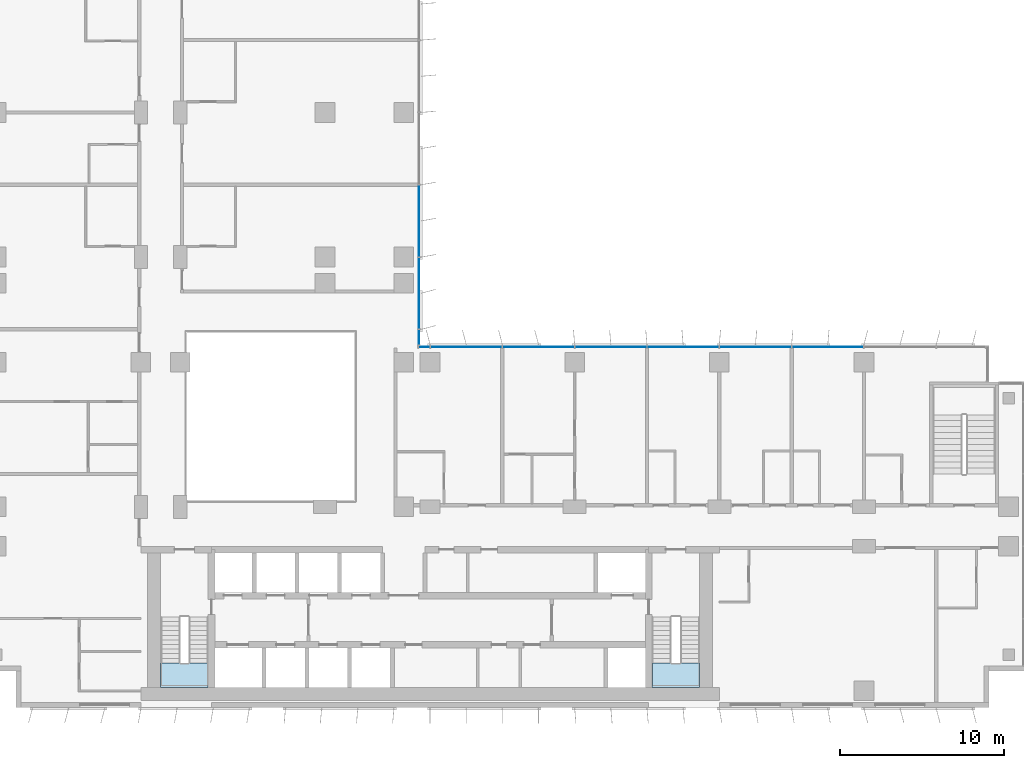
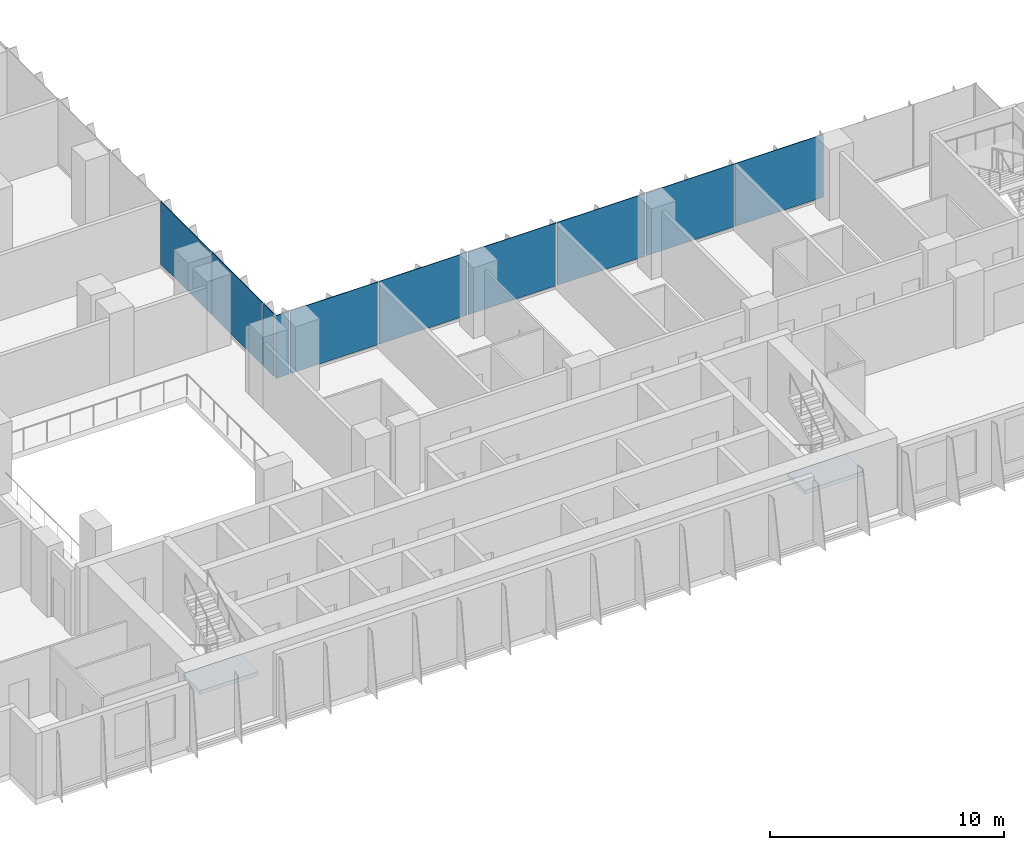
# One storey, part 10 of 22: 10 plates, 2 slabs, 4 elements without a shape of their own.
"""IFC4 building model written with IfcOpenShell, lengths in metres."""

from ifc_helpers import new_model, si_unit, direction, frame, origin, origin_2d, place, context, subcontext, project, spatial, polyline, rectangle, outline, extrude, source, transform, mapped, material, layer, layer_set, type_object, element, aggregate, save


model = new_model("IFC4")

# Units and contexts
model_context = context("Model", 3, precision=1e-05, world=origin(), true_north=direction((0.0, 1.0)))
body_context = subcontext(model_context, "Body", "Model", "MODEL_VIEW")
ifc_project = project(units=[si_unit("LENGTHUNIT", "METRE"), si_unit("AREAUNIT", "SQUARE_METRE"), si_unit("VOLUMEUNIT", "CUBIC_METRE"), si_unit("PLANEANGLEUNIT", "RADIAN"), si_unit("MASSUNIT", "GRAM", prefix="KILO")], contexts=[model_context])

# Site, building, storey
site_placement = place(None, origin())
site = spatial("IfcSite", under=ifc_project, at=site_placement, CompositionType="ELEMENT")
building_placement = place(site_placement, origin())
building = spatial("IfcBuilding", under=site, at=building_placement, Name="Kemantara Hotel Tower", CompositionType="ELEMENT")
storey_placement = place(building_placement, frame((0.0, 0.0, 145.699951171875)))
storey = spatial("IfcBuildingStorey", under=building, at=storey_placement, Name="L35", CompositionType="ELEMENT", Elevation=145.699951171875)

# Stair, slab
ifc_material_1 = material(Name="Concrete fc 40 MPa", Category="concrete")
stair_type = type_object("IfcStairType", Name="Stair 1200 wide 22 risers of 168 x 280 mm", PredefinedType="HALF_TURN_STAIR", material=ifc_material_1)
stair_1_placement = place(storey_placement, origin())
stair_1 = element("IfcStair", 1, at=stair_1_placement, inside=storey, type_object=stair_type, Name="L35 Exit stair ST1", PredefinedType="HALF_TURN_STAIR")
ifc_layer_1 = layer(ifc_material_1, 0.199951171875)
ifc_layer_set_1 = layer_set([ifc_layer_1], Name="Concrete fc 40 MPa")
slab_type = type_object("IfcSlabType", Name="Stair landing 200 mm", PredefinedType="LANDING", material=ifc_layer_set_1)
slab_1_placement = place(storey_placement, frame((0.0, 0.0, 1.650146484375)))
slab_1 = element("IfcSlab", 2, at=slab_1_placement, type_object=slab_type, Name="ST1 landing 1", PredefinedType="LANDING", context=body_context, shape_type="SweptSolid", body=[
    extrude(outline(polyline([(11.0, 2.699951171875), (11.0, 1.199951171875), (13.89990234375, 1.199951171875), (13.89990234375, 2.699951171875), (11.0, 2.699951171875)])), origin(), (0.0, 0.0, 1.0), 0.199951171875),
])
aggregate(stair_1, [slab_1])

stair_2_placement = place(storey_placement, origin())
stair_2 = element("IfcStair", 3, at=stair_2_placement, inside=storey, type_object=stair_type, Name="L35 Exit stair ST2", PredefinedType="HALF_TURN_STAIR")
slab_2_placement = place(storey_placement, frame((0.0, 0.0, 1.650146484375)))
slab_2 = element("IfcSlab", 4, at=slab_2_placement, type_object=slab_type, Name="ST2 landing 1", PredefinedType="LANDING", context=body_context, shape_type="SweptSolid", body=[
    extrude(outline(polyline([(40.89990234375, 2.699951171875), (40.89990234375, 1.199951171875), (43.800048828125, 1.199951171875), (43.800048828125, 2.699951171875), (40.89990234375, 2.699951171875)])), origin(), (0.0, 0.0, 1.0), 0.199951171875),
])
aggregate(stair_2, [slab_2])

# Curtain wall, plates
ifc_material_2 = material(Name="Low-E tinted double insulated glass 36 mm", Category="glass")
curtain_wall_type = type_object("IfcCurtainWallType", Name="TOWER CURTAIN WALL, FRONT FACES", PredefinedType="USERDEFINED", material=ifc_material_2)
curtain_wall_1_placement = place(storey_placement, origin())
curtain_wall_1 = element("IfcCurtainWall", 5, at=curtain_wall_1_placement, inside=storey, type_object=curtain_wall_type, Name="CW4 L35 T2-R13-1", ObjectType="TOWER CURTAIN WALL, FRONT FACES", PredefinedType="USERDEFINED")
ifc_layer_2 = layer(ifc_material_2, 0.035888671875)
ifc_layer_set_2 = layer_set([ifc_layer_2], Name="Low-E tinted double insulated glass 36 mm")
plate_type = type_object("IfcPlateType", Name="TOWER CURTAIN WALL, FRONT FACES PANEL", PredefinedType="CURTAIN_PANEL", material=ifc_layer_set_2)
shared_shape_1 = source(origin(), body_context, "Body", "SweptSolid", [
    extrude(rectangle(XDim=4.340087890625, YDim=0.035888671875, at=origin_2d()), origin(), (0.0, 0.0, 1.0), 3.280029296875),
])
plate_1_placement = place(storey_placement, frame((51.60009765625, 21.925048828125, 0.1201171875), z_axis=(0.0, 0.0, 1.0), x_axis=(-1.0, 0.0, 0.0)))
plate_1 = element("IfcPlate", 6, at=plate_1_placement, type_object=plate_type, Name="CW4 glass panel T2-R13-1.3", PredefinedType="CURTAIN_PANEL", context=body_context, shape_type="MappedRepresentation", body=[
    mapped(shared_shape_1, transform((0.0, 0.0, 0.0))),
])
plate_2_placement = place(storey_placement, frame((47.199951171875, 21.925048828125, 0.1201171875), z_axis=(0.0, 0.0, 1.0), x_axis=(-1.0, 0.0, 0.0)))
plate_2 = element("IfcPlate", 7, at=plate_2_placement, type_object=plate_type, Name="CW4 glass panel T2-R13-1.4", PredefinedType="CURTAIN_PANEL", context=body_context, shape_type="MappedRepresentation", body=[
    mapped(shared_shape_1, transform((0.0, 0.0, 0.0))),
])
plate_3_placement = place(storey_placement, frame((42.800048828125, 21.925048828125, 0.1201171875), z_axis=(0.0, 0.0, 1.0), x_axis=(-1.0, 0.0, 0.0)))
plate_3 = element("IfcPlate", 8, at=plate_3_placement, type_object=plate_type, Name="CW4 glass panel T2-R13-1.5", PredefinedType="CURTAIN_PANEL", context=body_context, shape_type="MappedRepresentation", body=[
    mapped(shared_shape_1, transform((0.0, 0.0, 0.0))),
])
plate_4_placement = place(storey_placement, frame((38.39990234375, 21.925048828125, 0.1201171875), z_axis=(0.0, 0.0, 1.0), x_axis=(-1.0, 0.0, 0.0)))
plate_4 = element("IfcPlate", 9, at=plate_4_placement, type_object=plate_type, Name="CW4 glass panel T2-R13-1.6", PredefinedType="CURTAIN_PANEL", context=body_context, shape_type="MappedRepresentation", body=[
    mapped(shared_shape_1, transform((0.0, 0.0, 0.0))),
])
plate_5_placement = place(storey_placement, frame((34.0, 21.925048828125, 0.1201171875), z_axis=(0.0, 0.0, 1.0), x_axis=(-1.0, 0.0, 0.0)))
plate_5 = element("IfcPlate", 10, at=plate_5_placement, type_object=plate_type, Name="CW4 glass panel T2-R13-1.7", PredefinedType="CURTAIN_PANEL", context=body_context, shape_type="MappedRepresentation", body=[
    mapped(shared_shape_1, transform((0.0, 0.0, 0.0))),
])
plate_6_placement = place(storey_placement, frame((29.60009765625, 21.925048828125, 0.1201171875), z_axis=(0.0, 0.0, 1.0), x_axis=(-1.0, 0.0, 0.0)))
plate_6 = element("IfcPlate", 11, at=plate_6_placement, type_object=plate_type, Name="CW4 glass panel T2-R13-1.8", PredefinedType="CURTAIN_PANEL", context=body_context, shape_type="MappedRepresentation", body=[
    mapped(shared_shape_1, transform((0.0, 0.0, 0.0))),
])

curtain_wall_2_placement = place(storey_placement, origin())
curtain_wall_2 = element("IfcCurtainWall", 12, at=curtain_wall_2_placement, inside=storey, type_object=curtain_wall_type, Name="CW4 L35 T2-R14-1", ObjectType="TOWER CURTAIN WALL, FRONT FACES", PredefinedType="USERDEFINED")
plate_7_placement = place(storey_placement, frame((26.72509765625, 25.199951171875, 0.1201171875), z_axis=(0.0, 0.0, 1.0), x_axis=(0.0, 1.0, 0.0)))
plate_7 = element("IfcPlate", 13, at=plate_7_placement, type_object=plate_type, Name="CW4 glass panel T2-R14-1.2", PredefinedType="CURTAIN_PANEL", context=body_context, shape_type="MappedRepresentation", body=[
    mapped(shared_shape_1, transform((0.0, 0.0, 0.0))),
])
plate_8_placement = place(storey_placement, frame((26.72509765625, 29.60009765625, 0.1201171875), z_axis=(0.0, 0.0, 1.0), x_axis=(0.0, 1.0, 0.0)))
plate_8 = element("IfcPlate", 14, at=plate_8_placement, type_object=plate_type, Name="CW4 glass panel T2-R14-1.3", PredefinedType="CURTAIN_PANEL", context=body_context, shape_type="MappedRepresentation", body=[
    mapped(shared_shape_1, transform((0.0, 0.0, 0.0))),
])

# Plate
shared_shape_2 = source(origin(), body_context, "Body", "SweptSolid", [
    extrude(rectangle(XDim=0.659912109375, YDim=0.035888671875, at=origin_2d()), origin(), (0.0, 0.0, 1.0), 3.280029296875),
])
plate_9_placement = place(storey_placement, frame((27.0400390625, 21.925048828125, 0.1201171875), z_axis=(0.0, 0.0, 1.0), x_axis=(-1.0, 0.0, 0.0)))
plate_9 = element("IfcPlate", 15, at=plate_9_placement, type_object=plate_type, Name="CW4 glass panel T2-R13-1.9", PredefinedType="CURTAIN_PANEL", context=body_context, shape_type="MappedRepresentation", body=[
    mapped(shared_shape_2, transform((0.0, 0.0, 0.0))),
])

aggregate(curtain_wall_1, [plate_1, plate_2, plate_3, plate_4, plate_5, plate_6, plate_9])

shared_shape_3 = source(origin(), body_context, "Body", "SweptSolid", [
    extrude(rectangle(XDim=0.909912109375, YDim=0.035888671875, at=origin_2d()), origin(), (0.0, 0.0, 1.0), 3.280029296875),
])
plate_10_placement = place(storey_placement, frame((26.72509765625, 22.514892578125, 0.1201171875), z_axis=(0.0, 0.0, 1.0), x_axis=(0.0, 1.0, 0.0)))
plate_10 = element("IfcPlate", 16, at=plate_10_placement, type_object=plate_type, Name="CW4 glass panel T2-R14-1.1", PredefinedType="CURTAIN_PANEL", context=body_context, shape_type="MappedRepresentation", body=[
    mapped(shared_shape_3, transform((0.0, 0.0, 0.0))),
])

aggregate(curtain_wall_2, [plate_10, plate_7, plate_8])

save(model, "model.ifc")
